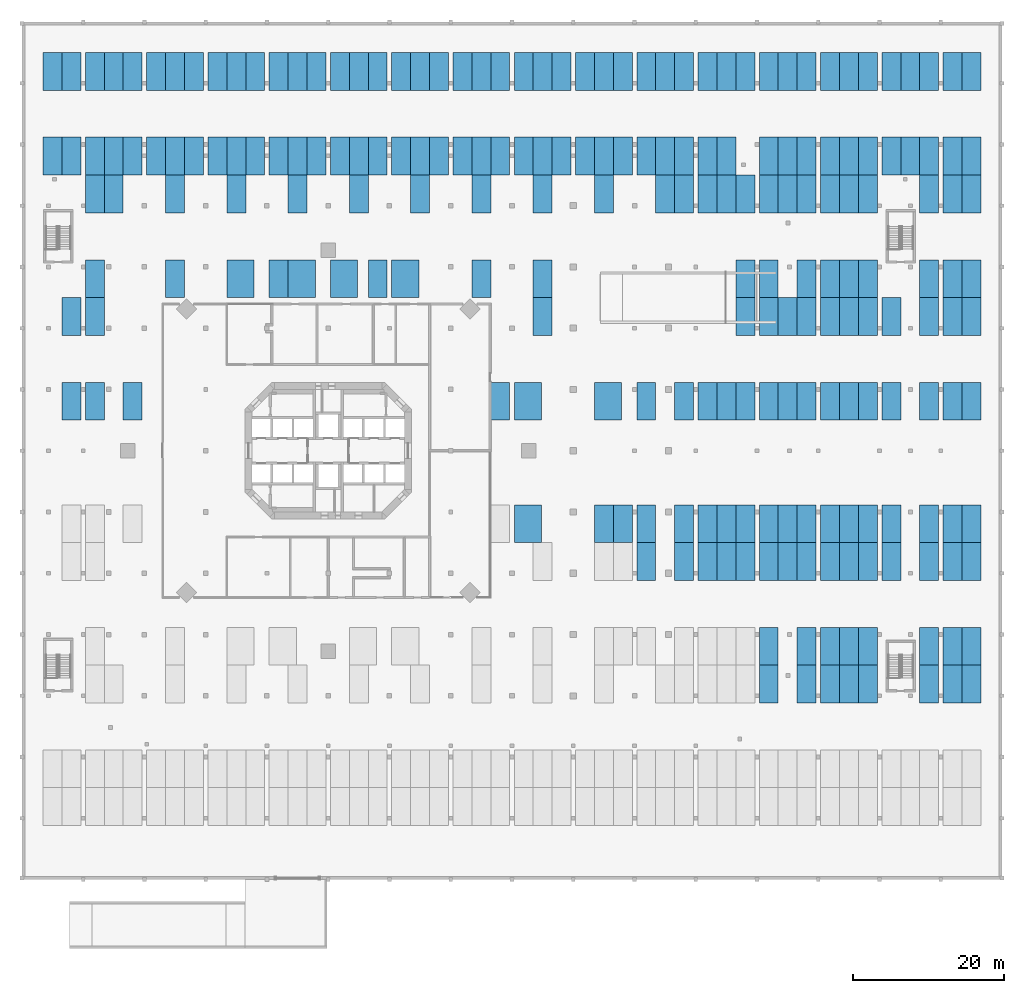
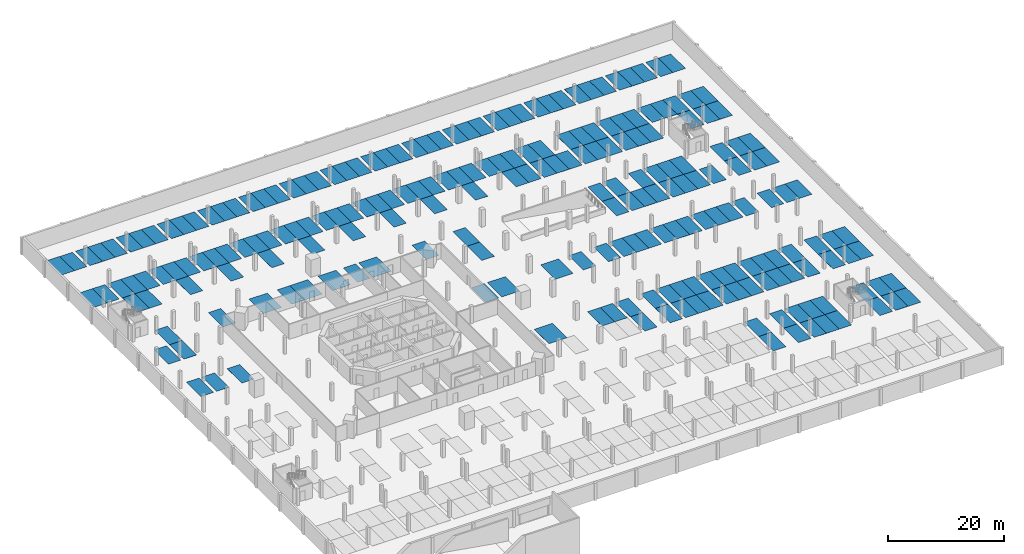
# One storey, part 13 of 14: 218 discrete accessories.
"""IFC4 building model written with IfcOpenShell, lengths in metres."""

from ifc_helpers import new_model, si_unit, direction, frame, origin, origin_2d, place, context, subcontext, project, spatial, rectangle, extrude, element, save


model = new_model("IFC4")

# Units and contexts
model_context = context("Model", 3, precision=1e-05, world=origin(), true_north=direction((0.0, 1.0)))
body_context = subcontext(model_context, "Body", "Model", "MODEL_VIEW")
ifc_project = project(units=[si_unit("LENGTHUNIT", "METRE"), si_unit("AREAUNIT", "SQUARE_METRE"), si_unit("VOLUMEUNIT", "CUBIC_METRE"), si_unit("PLANEANGLEUNIT", "RADIAN"), si_unit("MASSUNIT", "GRAM", prefix="KILO")], contexts=[model_context])

# Site, building, storey
site_placement = place(None, origin())
site = spatial("IfcSite", under=ifc_project, at=site_placement, CompositionType="ELEMENT")
building_placement = place(site_placement, origin())
building = spatial("IfcBuilding", under=site, at=building_placement, Name="Torre Triforio", CompositionType="ELEMENT")
storey_placement = place(building_placement, frame((0.0, 0.0, -3.60009765625)))
storey = spatial("IfcBuildingStorey", under=building, at=storey_placement, Name="B1", CompositionType="ELEMENT", Elevation=-3.60009765625)

# Discrete accessories
for number, where, z_axis, x_axis, name in (
    (1, (42.050048828125, -14.64990234375, 0.000244140625), (0.0, 0.0, 1.0), (1.0, 0.0, 0.0), "Parking bay marking B1-C-43"),
    (2, (47.050048828125, -14.64990234375, 0.000244140625), (0.0, 0.0, 1.0), (1.0, 0.0, 0.0), "Parking bay marking B1-C-44"),
    (3, (50.14990234375, -14.64990234375, 0.000244140625), (0.0, 0.0, 1.0), (1.0, 0.0, 0.0), "Parking bay marking B1-C-45"),
    (4, (52.64990234375, -14.64990234375, 0.000244140625), (0.0, 0.0, 1.0), (1.0, 0.0, 0.0), "Parking bay marking B1-C-46"),
    (5, (55.14990234375, -14.64990234375, 0.000244140625), (0.0, 0.0, 1.0), (1.0, 0.0, 0.0), "Parking bay marking B1-C-47"),
):
    element("IfcDiscreteAccessory", number, at=place(storey_placement, frame(where, z_axis=z_axis, x_axis=x_axis)), inside=storey, Name=name, PredefinedType="NOTDEFINED", context=body_context, shape_type="SweptSolid", body=[
        extrude(rectangle(XDim=2.5, YDim=5.0, at=origin_2d()), origin(), (0.0, 0.0, 1.0), 0.0048828125),
    ])
discrete_accessory_1_placement = place(storey_placement, frame((26.39990234375, -9.64990234375, 0.000244140625), z_axis=(0.0, 0.0, 1.0), x_axis=(1.0, 0.0, 0.0)))
element("IfcDiscreteAccessory", 6, at=discrete_accessory_1_placement, inside=storey, Name="Accessible parking bay marking B1-C-48", PredefinedType="NOTDEFINED", context=body_context, shape_type="SweptSolid", body=[
    extrude(rectangle(XDim=3.60009765625, YDim=5.0, at=origin_2d()), origin(), (0.0, 0.0, 1.0), 0.0048828125),
])
for number, where, z_axis, x_axis, name in (
    (7, (36.449951171875, -9.64990234375, 0.000244140625), (0.0, 0.0, 1.0), (1.0, 0.0, 0.0), "Parking bay marking B1-C-49"),
    (8, (38.949951171875, -9.64990234375, 0.000244140625), (0.0, 0.0, 1.0), (1.0, 0.0, 0.0), "Parking bay marking B1-C-50"),
    (9, (42.050048828125, -9.64990234375, 0.000244140625), (0.0, 0.0, 1.0), (1.0, 0.0, 0.0), "Parking bay marking B1-C-51"),
    (10, (47.050048828125, -9.64990234375, 0.000244140625), (0.0, 0.0, 1.0), (1.0, 0.0, 0.0), "Parking bay marking B1-C-52"),
    (11, (50.14990234375, -9.64990234375, 0.000244140625), (0.0, 0.0, 1.0), (1.0, 0.0, 0.0), "Parking bay marking B1-C-53"),
    (12, (52.64990234375, -9.64990234375, 0.000244140625), (0.0, 0.0, 1.0), (1.0, 0.0, 0.0), "Parking bay marking B1-C-54"),
    (13, (55.14990234375, -9.64990234375, 0.000244140625), (0.0, 0.0, 1.0), (1.0, 0.0, 0.0), "Parking bay marking B1-C-55"),
    (14, (58.25, -30.85009765625, 0.000244140625), (0.0, 0.0, 1.0), (1.0, 0.0, 0.0), "Parking bay marking B1-D-23"),
    (15, (63.25, -30.85009765625, 0.000244140625), (0.0, 0.0, 1.0), (1.0, 0.0, 0.0), "Parking bay marking B1-D-24"),
    (16, (66.35009765625, -30.85009765625, 0.000244140625), (0.0, 0.0, 1.0), (1.0, 0.0, 0.0), "Parking bay marking B1-D-25"),
    (17, (68.85009765625, -30.85009765625, 0.000244140625), (0.0, 0.0, 1.0), (1.0, 0.0, 0.0), "Parking bay marking B1-D-26"),
    (18, (71.35009765625, -30.85009765625, 0.000244140625), (0.0, 0.0, 1.0), (1.0, 0.0, 0.0), "Parking bay marking B1-D-27"),
    (19, (79.449951171875, -30.85009765625, 0.000244140625), (0.0, 0.0, 1.0), (1.0, 0.0, 0.0), "Parking bay marking B1-D-28"),
    (20, (82.550048828125, -30.85009765625, 0.000244140625), (0.0, 0.0, 1.0), (1.0, 0.0, 0.0), "Parking bay marking B1-D-29"),
    (21, (85.050048828125, -30.85009765625, 0.000244140625), (0.0, 0.0, 1.0), (1.0, 0.0, 0.0), "Parking bay marking B1-D-30"),
    (22, (58.25, -25.85009765625, 0.000244140625), (0.0, 0.0, 1.0), (1.0, 0.0, 0.0), "Parking bay marking B1-D-31"),
    (23, (63.25, -25.85009765625, 0.000244140625), (0.0, 0.0, 1.0), (1.0, 0.0, 0.0), "Parking bay marking B1-D-32"),
    (24, (66.35009765625, -25.85009765625, 0.000244140625), (0.0, 0.0, 1.0), (1.0, 0.0, 0.0), "Parking bay marking B1-D-33"),
    (25, (68.85009765625, -25.85009765625, 0.000244140625), (0.0, 0.0, 1.0), (1.0, 0.0, 0.0), "Parking bay marking B1-D-34"),
    (26, (71.35009765625, -25.85009765625, 0.000244140625), (0.0, 0.0, 1.0), (1.0, 0.0, 0.0), "Parking bay marking B1-D-35"),
    (27, (79.449951171875, -25.85009765625, 0.000244140625), (0.0, 0.0, 1.0), (1.0, 0.0, 0.0), "Parking bay marking B1-D-36"),
    (28, (82.550048828125, -25.85009765625, 0.000244140625), (0.0, 0.0, 1.0), (1.0, 0.0, 0.0), "Parking bay marking B1-D-37"),
    (29, (85.050048828125, -25.85009765625, 0.000244140625), (0.0, 0.0, 1.0), (1.0, 0.0, 0.0), "Parking bay marking B1-D-38"),
    (30, (58.25, -14.64990234375, 0.000244140625), (0.0, 0.0, 1.0), (1.0, 0.0, 0.0), "Parking bay marking B1-D-39"),
    (31, (60.75, -14.64990234375, 0.000244140625), (0.0, 0.0, 1.0), (1.0, 0.0, 0.0), "Parking bay marking B1-D-40"),
    (32, (63.25, -14.64990234375, 0.000244140625), (0.0, 0.0, 1.0), (1.0, 0.0, 0.0), "Parking bay marking B1-D-41"),
    (33, (66.35009765625, -14.64990234375, 0.000244140625), (0.0, 0.0, 1.0), (1.0, 0.0, 0.0), "Parking bay marking B1-D-42"),
    (34, (68.85009765625, -14.64990234375, 0.000244140625), (0.0, 0.0, 1.0), (1.0, 0.0, 0.0), "Parking bay marking B1-D-43"),
    (35, (71.35009765625, -14.64990234375, 0.000244140625), (0.0, 0.0, 1.0), (1.0, 0.0, 0.0), "Parking bay marking B1-D-44"),
    (36, (74.449951171875, -14.64990234375, 0.000244140625), (0.0, 0.0, 1.0), (1.0, 0.0, 0.0), "Parking bay marking B1-D-45"),
    (37, (79.449951171875, -14.64990234375, 0.000244140625), (0.0, 0.0, 1.0), (1.0, 0.0, 0.0), "Parking bay marking B1-D-46"),
    (38, (82.550048828125, -14.64990234375, 0.000244140625), (0.0, 0.0, 1.0), (1.0, 0.0, 0.0), "Parking bay marking B1-D-47"),
    (39, (85.050048828125, -14.64990234375, 0.000244140625), (0.0, 0.0, 1.0), (1.0, 0.0, 0.0), "Parking bay marking B1-D-48"),
    (40, (58.25, -9.64990234375, 0.000244140625), (0.0, 0.0, 1.0), (1.0, 0.0, 0.0), "Parking bay marking B1-D-49"),
    (41, (60.75, -9.64990234375, 0.000244140625), (0.0, 0.0, 1.0), (1.0, 0.0, 0.0), "Parking bay marking B1-D-50"),
    (42, (63.25, -9.64990234375, 0.000244140625), (0.0, 0.0, 1.0), (1.0, 0.0, 0.0), "Parking bay marking B1-D-51"),
    (43, (66.35009765625, -9.64990234375, 0.000244140625), (0.0, 0.0, 1.0), (1.0, 0.0, 0.0), "Parking bay marking B1-D-52"),
    (44, (68.85009765625, -9.64990234375, 0.000244140625), (0.0, 0.0, 1.0), (1.0, 0.0, 0.0), "Parking bay marking B1-D-53"),
    (45, (71.35009765625, -9.64990234375, 0.000244140625), (0.0, 0.0, 1.0), (1.0, 0.0, 0.0), "Parking bay marking B1-D-54"),
    (46, (74.449951171875, -9.64990234375, 0.000244140625), (0.0, 0.0, 1.0), (1.0, 0.0, 0.0), "Parking bay marking B1-D-55"),
    (47, (79.449951171875, -9.64990234375, 0.000244140625), (0.0, 0.0, 1.0), (1.0, 0.0, 0.0), "Parking bay marking B1-D-56"),
    (48, (82.550048828125, -9.64990234375, 0.000244140625), (0.0, 0.0, 1.0), (1.0, 0.0, 0.0), "Parking bay marking B1-D-57"),
    (49, (85.050048828125, -9.64990234375, 0.000244140625), (0.0, 0.0, 1.0), (1.0, 0.0, 0.0), "Parking bay marking B1-D-58"),
    (50, (-33.949951171875, 6.550048828125, 0.000244140625), (0.0, 0.0, 1.0), (1.0, 0.0, 0.0), "Parking bay marking B1-E-01"),
    (51, (-30.85009765625, 6.550048828125, 0.000244140625), (0.0, 0.0, 1.0), (1.0, 0.0, 0.0), "Parking bay marking B1-E-02"),
    (52, (-25.85009765625, 6.550048828125, 0.000244140625), (0.0, 0.0, 1.0), (1.0, 0.0, 0.0), "Parking bay marking B1-E-03"),
    (53, (-33.949951171875, 17.75, 0.000244140625), (0.0, 0.0, 1.0), (1.0, 0.0, 0.0), "Parking bay marking B1-E-04"),
    (54, (-30.85009765625, 17.75, 0.000244140625), (0.0, 0.0, 1.0), (1.0, 0.0, 0.0), "Parking bay marking B1-E-05"),
    (55, (-30.85009765625, 22.75, 0.000244140625), (0.0, 0.0, 1.0), (1.0, 0.0, 0.0), "Parking bay marking B1-E-06"),
    (56, (-20.25, 22.75, 0.000244140625), (0.0, 0.0, 1.0), (1.0, 0.0, 0.0), "Parking bay marking B1-E-07"),
):
    element("IfcDiscreteAccessory", number, at=place(storey_placement, frame(where, z_axis=z_axis, x_axis=x_axis)), inside=storey, Name=name, PredefinedType="NOTDEFINED", context=body_context, shape_type="SweptSolid", body=[
        extrude(rectangle(XDim=2.5, YDim=5.0, at=origin_2d()), origin(), (0.0, 0.0, 1.0), 0.0048828125),
    ])
discrete_accessory_2_placement = place(storey_placement, frame((-11.60009765625, 22.75, 0.000244140625), z_axis=(0.0, 0.0, 1.0), x_axis=(1.0, 0.0, 0.0)))
element("IfcDiscreteAccessory", 57, at=discrete_accessory_2_placement, inside=storey, Name="Accessible parking bay marking B1-E-08", PredefinedType="NOTDEFINED", context=body_context, shape_type="SweptSolid", body=[
    extrude(rectangle(XDim=3.60009765625, YDim=5.0, at=origin_2d()), origin(), (0.0, 0.0, 1.0), 0.0048828125),
])
for number, where, z_axis, x_axis, name in (
    (58, (-30.85009765625, 33.949951171875, 0.000244140625), (0.0, 0.0, 1.0), (1.0, 0.0, 0.0), "Parking bay marking B1-E-09"),
    (59, (-28.35009765625, 33.949951171875, 0.000244140625), (0.0, 0.0, 1.0), (1.0, 0.0, 0.0), "Parking bay marking B1-E-10"),
    (60, (-20.25, 33.949951171875, 0.000244140625), (0.0, 0.0, 1.0), (1.0, 0.0, 0.0), "Parking bay marking B1-E-11"),
    (61, (-12.14990234375, 33.949951171875, 0.000244140625), (0.0, 0.0, 1.0), (1.0, 0.0, 0.0), "Parking bay marking B1-E-12"),
    (62, (-36.449951171875, 38.949951171875, 0.000244140625), (0.0, 0.0, 1.0), (1.0, 0.0, 0.0), "Parking bay marking B1-E-13"),
    (63, (-33.949951171875, 38.949951171875, 0.000244140625), (0.0, 0.0, 1.0), (1.0, 0.0, 0.0), "Parking bay marking B1-E-14"),
    (64, (-30.85009765625, 38.949951171875, 0.000244140625), (0.0, 0.0, 1.0), (1.0, 0.0, 0.0), "Parking bay marking B1-E-15"),
    (65, (-28.35009765625, 38.949951171875, 0.000244140625), (0.0, 0.0, 1.0), (1.0, 0.0, 0.0), "Parking bay marking B1-E-16"),
    (66, (-25.85009765625, 38.949951171875, 0.000244140625), (0.0, 0.0, 1.0), (1.0, 0.0, 0.0), "Parking bay marking B1-E-17"),
    (67, (-22.75, 38.949951171875, 0.000244140625), (0.0, 0.0, 1.0), (1.0, 0.0, 0.0), "Parking bay marking B1-E-18"),
    (68, (-20.25, 38.949951171875, 0.000244140625), (0.0, 0.0, 1.0), (1.0, 0.0, 0.0), "Parking bay marking B1-E-19"),
    (69, (-17.75, 38.949951171875, 0.000244140625), (0.0, 0.0, 1.0), (1.0, 0.0, 0.0), "Parking bay marking B1-E-20"),
    (70, (-14.64990234375, 38.949951171875, 0.000244140625), (0.0, 0.0, 1.0), (1.0, 0.0, 0.0), "Parking bay marking B1-E-21"),
    (71, (-12.14990234375, 38.949951171875, 0.000244140625), (0.0, 0.0, 1.0), (1.0, 0.0, 0.0), "Parking bay marking B1-E-22"),
    (72, (-9.64990234375, 38.949951171875, 0.000244140625), (0.0, 0.0, 1.0), (1.0, 0.0, 0.0), "Parking bay marking B1-E-23"),
    (73, (-36.449951171875, 50.14990234375, 0.000244140625), (0.0, 0.0, 1.0), (1.0, 0.0, 0.0), "Parking bay marking B1-E-24"),
    (74, (-33.949951171875, 50.14990234375, 0.000244140625), (0.0, 0.0, 1.0), (1.0, 0.0, 0.0), "Parking bay marking B1-E-25"),
    (75, (-30.85009765625, 50.14990234375, 0.000244140625), (0.0, 0.0, 1.0), (1.0, 0.0, 0.0), "Parking bay marking B1-E-26"),
    (76, (-28.35009765625, 50.14990234375, 0.000244140625), (0.0, 0.0, 1.0), (1.0, 0.0, 0.0), "Parking bay marking B1-E-27"),
    (77, (-25.85009765625, 50.14990234375, 0.000244140625), (0.0, 0.0, 1.0), (1.0, 0.0, 0.0), "Parking bay marking B1-E-28"),
    (78, (-22.75, 50.14990234375, 0.000244140625), (0.0, 0.0, 1.0), (1.0, 0.0, 0.0), "Parking bay marking B1-E-29"),
    (79, (-20.25, 50.14990234375, 0.000244140625), (0.0, 0.0, 1.0), (1.0, 0.0, 0.0), "Parking bay marking B1-E-30"),
    (80, (-17.75, 50.14990234375, 0.000244140625), (0.0, 0.0, 1.0), (1.0, 0.0, 0.0), "Parking bay marking B1-E-31"),
    (81, (-14.64990234375, 50.14990234375, 0.000244140625), (0.0, 0.0, 1.0), (1.0, 0.0, 0.0), "Parking bay marking B1-E-32"),
    (82, (-12.14990234375, 50.14990234375, 0.000244140625), (0.0, 0.0, 1.0), (1.0, 0.0, 0.0), "Parking bay marking B1-E-33"),
    (83, (-9.64990234375, 50.14990234375, 0.000244140625), (0.0, 0.0, 1.0), (1.0, 0.0, 0.0), "Parking bay marking B1-E-34"),
    (84, (22.75, 6.550048828125, 0.000244140625), (0.0, 0.0, 1.0), (1.0, 0.0, 0.0), "Parking bay marking B1-F-01"),
    (85, (-6.550048828125, 22.75, 0.000244140625), (0.0, 0.0, 1.0), (1.0, 0.0, 0.0), "Parking bay marking B1-F-02"),
):
    element("IfcDiscreteAccessory", number, at=place(storey_placement, frame(where, z_axis=z_axis, x_axis=x_axis)), inside=storey, Name=name, PredefinedType="NOTDEFINED", context=body_context, shape_type="SweptSolid", body=[
        extrude(rectangle(XDim=2.5, YDim=5.0, at=origin_2d()), origin(), (0.0, 0.0, 1.0), 0.0048828125),
    ])
for number, where, z_axis, x_axis, name in (
    (86, (-3.5, 22.75, 0.000244140625), (0.0, 0.0, 1.0), (1.0, 0.0, 0.0), "Accessible parking bay marking B1-F-03"),
    (87, (2.10009765625, 22.75, 0.000244140625), (0.0, 0.0, 1.0), (1.0, 0.0, 0.0), "Accessible parking bay marking B1-F-04"),
):
    element("IfcDiscreteAccessory", number, at=place(storey_placement, frame(where, z_axis=z_axis, x_axis=x_axis)), inside=storey, Name=name, PredefinedType="NOTDEFINED", context=body_context, shape_type="SweptSolid", body=[
        extrude(rectangle(XDim=3.60009765625, YDim=5.0, at=origin_2d()), origin(), (0.0, 0.0, 1.0), 0.0048828125),
    ])
discrete_accessory_3_placement = place(storey_placement, frame((6.550048828125, 22.75, 0.000244140625), z_axis=(0.0, 0.0, 1.0), x_axis=(1.0, 0.0, 0.0)))
element("IfcDiscreteAccessory", 88, at=discrete_accessory_3_placement, inside=storey, Name="Parking bay marking B1-F-05", PredefinedType="NOTDEFINED", context=body_context, shape_type="SweptSolid", body=[
    extrude(rectangle(XDim=2.5, YDim=5.0, at=origin_2d()), origin(), (0.0, 0.0, 1.0), 0.0048828125),
])
discrete_accessory_4_placement = place(storey_placement, frame((10.199951171875, 22.75, 0.000244140625), z_axis=(0.0, 0.0, 1.0), x_axis=(1.0, 0.0, 0.0)))
element("IfcDiscreteAccessory", 89, at=discrete_accessory_4_placement, inside=storey, Name="Accessible parking bay marking B1-F-06", PredefinedType="NOTDEFINED", context=body_context, shape_type="SweptSolid", body=[
    extrude(rectangle(XDim=3.60009765625, YDim=5.0, at=origin_2d()), origin(), (0.0, 0.0, 1.0), 0.0048828125),
])
for number, where, z_axis, x_axis, name in (
    (90, (20.25, 22.75, 0.000244140625), (0.0, 0.0, 1.0), (1.0, 0.0, 0.0), "Parking bay marking B1-F-07"),
    (91, (-4.050048828125, 33.949951171875, 0.000244140625), (0.0, 0.0, 1.0), (1.0, 0.0, 0.0), "Parking bay marking B1-F-08"),
    (92, (4.050048828125, 33.949951171875, 0.000244140625), (0.0, 0.0, 1.0), (1.0, 0.0, 0.0), "Parking bay marking B1-F-09"),
    (93, (12.14990234375, 33.949951171875, 0.000244140625), (0.0, 0.0, 1.0), (1.0, 0.0, 0.0), "Parking bay marking B1-F-10"),
    (94, (20.25, 33.949951171875, 0.000244140625), (0.0, 0.0, 1.0), (1.0, 0.0, 0.0), "Parking bay marking B1-F-11"),
    (95, (-6.550048828125, 38.949951171875, 0.000244140625), (0.0, 0.0, 1.0), (1.0, 0.0, 0.0), "Parking bay marking B1-F-12"),
    (96, (-4.050048828125, 38.949951171875, 0.000244140625), (0.0, 0.0, 1.0), (1.0, 0.0, 0.0), "Parking bay marking B1-F-13"),
    (97, (-1.550048828125, 38.949951171875, 0.000244140625), (0.0, 0.0, 1.0), (1.0, 0.0, 0.0), "Parking bay marking B1-F-14"),
    (98, (1.550048828125, 38.949951171875, 0.000244140625), (0.0, 0.0, 1.0), (1.0, 0.0, 0.0), "Parking bay marking B1-F-15"),
    (99, (4.050048828125, 38.949951171875, 0.000244140625), (0.0, 0.0, 1.0), (1.0, 0.0, 0.0), "Parking bay marking B1-F-16"),
    (100, (6.550048828125, 38.949951171875, 0.000244140625), (0.0, 0.0, 1.0), (1.0, 0.0, 0.0), "Parking bay marking B1-F-17"),
    (101, (9.64990234375, 38.949951171875, 0.000244140625), (0.0, 0.0, 1.0), (1.0, 0.0, 0.0), "Parking bay marking B1-F-18"),
    (102, (12.14990234375, 38.949951171875, 0.000244140625), (0.0, 0.0, 1.0), (1.0, 0.0, 0.0), "Parking bay marking B1-F-19"),
    (103, (14.64990234375, 38.949951171875, 0.000244140625), (0.0, 0.0, 1.0), (1.0, 0.0, 0.0), "Parking bay marking B1-F-20"),
    (104, (17.75, 38.949951171875, 0.000244140625), (0.0, 0.0, 1.0), (1.0, 0.0, 0.0), "Parking bay marking B1-F-21"),
    (105, (20.25, 38.949951171875, 0.000244140625), (0.0, 0.0, 1.0), (1.0, 0.0, 0.0), "Parking bay marking B1-F-22"),
    (106, (22.75, 38.949951171875, 0.000244140625), (0.0, 0.0, 1.0), (1.0, 0.0, 0.0), "Parking bay marking B1-F-23"),
    (107, (-6.550048828125, 50.14990234375, 0.000244140625), (0.0, 0.0, 1.0), (1.0, 0.0, 0.0), "Parking bay marking B1-F-24"),
    (108, (-4.050048828125, 50.14990234375, 0.000244140625), (0.0, 0.0, 1.0), (1.0, 0.0, 0.0), "Parking bay marking B1-F-25"),
    (109, (-1.550048828125, 50.14990234375, 0.000244140625), (0.0, 0.0, 1.0), (1.0, 0.0, 0.0), "Parking bay marking B1-F-26"),
    (110, (1.550048828125, 50.14990234375, 0.000244140625), (0.0, 0.0, 1.0), (1.0, 0.0, 0.0), "Parking bay marking B1-F-27"),
    (111, (4.050048828125, 50.14990234375, 0.000244140625), (0.0, 0.0, 1.0), (1.0, 0.0, 0.0), "Parking bay marking B1-F-28"),
    (112, (6.550048828125, 50.14990234375, 0.000244140625), (0.0, 0.0, 1.0), (1.0, 0.0, 0.0), "Parking bay marking B1-F-29"),
    (113, (9.64990234375, 50.14990234375, 0.000244140625), (0.0, 0.0, 1.0), (1.0, 0.0, 0.0), "Parking bay marking B1-F-30"),
    (114, (12.14990234375, 50.14990234375, 0.000244140625), (0.0, 0.0, 1.0), (1.0, 0.0, 0.0), "Parking bay marking B1-F-31"),
    (115, (14.64990234375, 50.14990234375, 0.000244140625), (0.0, 0.0, 1.0), (1.0, 0.0, 0.0), "Parking bay marking B1-F-32"),
    (116, (17.75, 50.14990234375, 0.000244140625), (0.0, 0.0, 1.0), (1.0, 0.0, 0.0), "Parking bay marking B1-F-33"),
    (117, (20.25, 50.14990234375, 0.000244140625), (0.0, 0.0, 1.0), (1.0, 0.0, 0.0), "Parking bay marking B1-F-34"),
    (118, (22.75, 50.14990234375, 0.000244140625), (0.0, 0.0, 1.0), (1.0, 0.0, 0.0), "Parking bay marking B1-F-35"),
):
    element("IfcDiscreteAccessory", number, at=place(storey_placement, frame(where, z_axis=z_axis, x_axis=x_axis)), inside=storey, Name=name, PredefinedType="NOTDEFINED", context=body_context, shape_type="SweptSolid", body=[
        extrude(rectangle(XDim=2.5, YDim=5.0, at=origin_2d()), origin(), (0.0, 0.0, 1.0), 0.0048828125),
    ])
for number, where, z_axis, x_axis, name in (
    (119, (26.39990234375, 6.550048828125, 0.000244140625), (0.0, 0.0, 1.0), (1.0, 0.0, 0.0), "Accessible parking bay marking B1-G-01"),
    (120, (37.0, 6.550048828125, 0.000244140625), (0.0, 0.0, 1.0), (1.0, 0.0, 0.0), "Accessible parking bay marking B1-G-02"),
):
    element("IfcDiscreteAccessory", number, at=place(storey_placement, frame(where, z_axis=z_axis, x_axis=x_axis)), inside=storey, Name=name, PredefinedType="NOTDEFINED", context=body_context, shape_type="SweptSolid", body=[
        extrude(rectangle(XDim=3.60009765625, YDim=5.0, at=origin_2d()), origin(), (0.0, 0.0, 1.0), 0.0048828125),
    ])
for number, where, z_axis, x_axis, name in (
    (121, (42.050048828125, 6.550048828125, 0.000244140625), (0.0, 0.0, 1.0), (1.0, 0.0, 0.0), "Parking bay marking B1-G-03"),
    (122, (47.050048828125, 6.550048828125, 0.000244140625), (0.0, 0.0, 1.0), (1.0, 0.0, 0.0), "Parking bay marking B1-G-04"),
    (123, (50.14990234375, 6.550048828125, 0.000244140625), (0.0, 0.0, 1.0), (1.0, 0.0, 0.0), "Parking bay marking B1-G-05"),
    (124, (52.64990234375, 6.550048828125, 0.000244140625), (0.0, 0.0, 1.0), (1.0, 0.0, 0.0), "Parking bay marking B1-G-06"),
    (125, (55.14990234375, 6.550048828125, 0.000244140625), (0.0, 0.0, 1.0), (1.0, 0.0, 0.0), "Parking bay marking B1-G-07"),
    (126, (28.35009765625, 17.75, 0.000244140625), (0.0, 0.0, 1.0), (1.0, 0.0, 0.0), "Parking bay marking B1-G-08"),
    (127, (55.14990234375, 17.75, 0.000244140625), (0.0, 0.0, 1.0), (1.0, 0.0, 0.0), "Parking bay marking B1-G-09"),
    (128, (28.35009765625, 22.75, 0.000244140625), (0.0, 0.0, 1.0), (1.0, 0.0, 0.0), "Parking bay marking B1-G-10"),
    (129, (55.14990234375, 22.75, 0.000244140625), (0.0, 0.0, 1.0), (1.0, 0.0, 0.0), "Parking bay marking B1-G-11"),
    (130, (28.35009765625, 33.949951171875, 0.000244140625), (0.0, 0.0, 1.0), (1.0, 0.0, 0.0), "Parking bay marking B1-G-12"),
    (131, (36.449951171875, 33.949951171875, 0.000244140625), (0.0, 0.0, 1.0), (1.0, 0.0, 0.0), "Parking bay marking B1-G-13"),
    (132, (44.550048828125, 33.949951171875, 0.000244140625), (0.0, 0.0, 1.0), (1.0, 0.0, 0.0), "Parking bay marking B1-G-14"),
    (133, (47.050048828125, 33.949951171875, 0.000244140625), (0.0, 0.0, 1.0), (1.0, 0.0, 0.0), "Parking bay marking B1-G-15"),
    (134, (50.14990234375, 33.949951171875, 0.000244140625), (0.0, 0.0, 1.0), (1.0, 0.0, 0.0), "Parking bay marking B1-G-16"),
    (135, (52.64990234375, 33.949951171875, 0.000244140625), (0.0, 0.0, 1.0), (1.0, 0.0, 0.0), "Parking bay marking B1-G-17"),
    (136, (55.14990234375, 33.949951171875, 0.000244140625), (0.0, 0.0, 1.0), (1.0, 0.0, 0.0), "Parking bay marking B1-G-18"),
    (137, (25.85009765625, 38.949951171875, 0.000244140625), (0.0, 0.0, 1.0), (1.0, 0.0, 0.0), "Parking bay marking B1-G-19"),
    (138, (28.35009765625, 38.949951171875, 0.000244140625), (0.0, 0.0, 1.0), (1.0, 0.0, 0.0), "Parking bay marking B1-G-20"),
    (139, (30.85009765625, 38.949951171875, 0.000244140625), (0.0, 0.0, 1.0), (1.0, 0.0, 0.0), "Parking bay marking B1-G-21"),
    (140, (33.949951171875, 38.949951171875, 0.000244140625), (0.0, 0.0, 1.0), (1.0, 0.0, 0.0), "Parking bay marking B1-G-22"),
    (141, (36.449951171875, 38.949951171875, 0.000244140625), (0.0, 0.0, 1.0), (1.0, 0.0, 0.0), "Parking bay marking B1-G-23"),
    (142, (38.949951171875, 38.949951171875, 0.000244140625), (0.0, 0.0, 1.0), (1.0, 0.0, 0.0), "Parking bay marking B1-G-24"),
    (143, (42.050048828125, 38.949951171875, 0.000244140625), (0.0, 0.0, 1.0), (1.0, 0.0, 0.0), "Parking bay marking B1-G-25"),
    (144, (44.550048828125, 38.949951171875, 0.000244140625), (0.0, 0.0, 1.0), (1.0, 0.0, 0.0), "Parking bay marking B1-G-26"),
    (145, (47.050048828125, 38.949951171875, 0.000244140625), (0.0, 0.0, 1.0), (1.0, 0.0, 0.0), "Parking bay marking B1-G-27"),
    (146, (50.14990234375, 38.949951171875, 0.000244140625), (0.0, 0.0, 1.0), (1.0, 0.0, 0.0), "Parking bay marking B1-G-28"),
    (147, (52.64990234375, 38.949951171875, 0.000244140625), (0.0, 0.0, 1.0), (1.0, 0.0, 0.0), "Parking bay marking B1-G-29"),
    (148, (25.85009765625, 50.14990234375, 0.000244140625), (0.0, 0.0, 1.0), (1.0, 0.0, 0.0), "Parking bay marking B1-G-30"),
    (149, (28.35009765625, 50.14990234375, 0.000244140625), (0.0, 0.0, 1.0), (1.0, 0.0, 0.0), "Parking bay marking B1-G-31"),
    (150, (30.85009765625, 50.14990234375, 0.000244140625), (0.0, 0.0, 1.0), (1.0, 0.0, 0.0), "Parking bay marking B1-G-32"),
    (151, (33.949951171875, 50.14990234375, 0.000244140625), (0.0, 0.0, 1.0), (1.0, 0.0, 0.0), "Parking bay marking B1-G-33"),
    (152, (36.449951171875, 50.14990234375, 0.000244140625), (0.0, 0.0, 1.0), (1.0, 0.0, 0.0), "Parking bay marking B1-G-34"),
    (153, (38.949951171875, 50.14990234375, 0.000244140625), (0.0, 0.0, 1.0), (1.0, 0.0, 0.0), "Parking bay marking B1-G-35"),
    (154, (42.050048828125, 50.14990234375, 0.000244140625), (0.0, 0.0, 1.0), (1.0, 0.0, 0.0), "Parking bay marking B1-G-36"),
    (155, (44.550048828125, 50.14990234375, 0.000244140625), (0.0, 0.0, 1.0), (1.0, 0.0, 0.0), "Parking bay marking B1-G-37"),
    (156, (47.050048828125, 50.14990234375, 0.000244140625), (0.0, 0.0, 1.0), (1.0, 0.0, 0.0), "Parking bay marking B1-G-38"),
    (157, (50.14990234375, 50.14990234375, 0.000244140625), (0.0, 0.0, 1.0), (1.0, 0.0, 0.0), "Parking bay marking B1-G-39"),
    (158, (52.64990234375, 50.14990234375, 0.000244140625), (0.0, 0.0, 1.0), (1.0, 0.0, 0.0), "Parking bay marking B1-G-40"),
    (159, (55.14990234375, 50.14990234375, 0.000244140625), (0.0, 0.0, 1.0), (1.0, 0.0, 0.0), "Parking bay marking B1-G-41"),
    (160, (58.25, 6.550048828125, 0.000244140625), (0.0, 0.0, 1.0), (1.0, 0.0, 0.0), "Parking bay marking B1-H-01"),
    (161, (60.75, 6.550048828125, 0.000244140625), (0.0, 0.0, 1.0), (1.0, 0.0, 0.0), "Parking bay marking B1-H-02"),
    (162, (63.25, 6.550048828125, 0.000244140625), (0.0, 0.0, 1.0), (1.0, 0.0, 0.0), "Parking bay marking B1-H-03"),
    (163, (66.35009765625, 6.550048828125, 0.000244140625), (0.0, 0.0, 1.0), (1.0, 0.0, 0.0), "Parking bay marking B1-H-04"),
    (164, (68.85009765625, 6.550048828125, 0.000244140625), (0.0, 0.0, 1.0), (1.0, 0.0, 0.0), "Parking bay marking B1-H-05"),
    (165, (71.35009765625, 6.550048828125, 0.000244140625), (0.0, 0.0, 1.0), (1.0, 0.0, 0.0), "Parking bay marking B1-H-06"),
    (166, (74.449951171875, 6.550048828125, 0.000244140625), (0.0, 0.0, 1.0), (1.0, 0.0, 0.0), "Parking bay marking B1-H-07"),
    (167, (79.449951171875, 6.550048828125, 0.000244140625), (0.0, 0.0, 1.0), (1.0, 0.0, 0.0), "Parking bay marking B1-H-08"),
    (168, (82.550048828125, 6.550048828125, 0.000244140625), (0.0, 0.0, 1.0), (1.0, 0.0, 0.0), "Parking bay marking B1-H-09"),
    (169, (85.050048828125, 6.550048828125, 0.000244140625), (0.0, 0.0, 1.0), (1.0, 0.0, 0.0), "Parking bay marking B1-H-10"),
    (170, (58.25, 17.75, 0.000244140625), (0.0, 0.0, 1.0), (1.0, 0.0, 0.0), "Parking bay marking B1-H-11"),
    (171, (60.75, 17.75, 0.000244140625), (0.0, 0.0, 1.0), (1.0, 0.0, 0.0), "Parking bay marking B1-H-12"),
    (172, (63.25, 17.75, 0.000244140625), (0.0, 0.0, 1.0), (1.0, 0.0, 0.0), "Parking bay marking B1-H-13"),
    (173, (66.35009765625, 17.75, 0.000244140625), (0.0, 0.0, 1.0), (1.0, 0.0, 0.0), "Parking bay marking B1-H-14"),
    (174, (68.85009765625, 17.75, 0.000244140625), (0.0, 0.0, 1.0), (1.0, 0.0, 0.0), "Parking bay marking B1-H-15"),
    (175, (71.35009765625, 17.75, 0.000244140625), (0.0, 0.0, 1.0), (1.0, 0.0, 0.0), "Parking bay marking B1-H-16"),
    (176, (74.449951171875, 17.75, 0.000244140625), (0.0, 0.0, 1.0), (1.0, 0.0, 0.0), "Parking bay marking B1-H-17"),
    (177, (79.449951171875, 17.75, 0.000244140625), (0.0, 0.0, 1.0), (1.0, 0.0, 0.0), "Parking bay marking B1-H-18"),
    (178, (82.550048828125, 17.75, 0.000244140625), (0.0, 0.0, 1.0), (1.0, 0.0, 0.0), "Parking bay marking B1-H-19"),
    (179, (85.050048828125, 17.75, 0.000244140625), (0.0, 0.0, 1.0), (1.0, 0.0, 0.0), "Parking bay marking B1-H-20"),
    (180, (58.25, 22.75, 0.000244140625), (0.0, 0.0, 1.0), (1.0, 0.0, 0.0), "Parking bay marking B1-H-21"),
    (181, (63.25, 22.75, 0.000244140625), (0.0, 0.0, 1.0), (1.0, 0.0, 0.0), "Parking bay marking B1-H-22"),
    (182, (66.35009765625, 22.75, 0.000244140625), (0.0, 0.0, 1.0), (1.0, 0.0, 0.0), "Parking bay marking B1-H-23"),
    (183, (68.85009765625, 22.75, 0.000244140625), (0.0, 0.0, 1.0), (1.0, 0.0, 0.0), "Parking bay marking B1-H-24"),
    (184, (71.35009765625, 22.75, 0.000244140625), (0.0, 0.0, 1.0), (1.0, 0.0, 0.0), "Parking bay marking B1-H-25"),
    (185, (79.449951171875, 22.75, 0.000244140625), (0.0, 0.0, 1.0), (1.0, 0.0, 0.0), "Parking bay marking B1-H-26"),
    (186, (82.550048828125, 22.75, 0.000244140625), (0.0, 0.0, 1.0), (1.0, 0.0, 0.0), "Parking bay marking B1-H-27"),
    (187, (85.050048828125, 22.75, 0.000244140625), (0.0, 0.0, 1.0), (1.0, 0.0, 0.0), "Parking bay marking B1-H-28"),
    (188, (58.25, 33.949951171875, 0.000244140625), (0.0, 0.0, 1.0), (1.0, 0.0, 0.0), "Parking bay marking B1-H-29"),
    (189, (60.75, 33.949951171875, 0.000244140625), (0.0, 0.0, 1.0), (1.0, 0.0, 0.0), "Parking bay marking B1-H-30"),
    (190, (63.25, 33.949951171875, 0.000244140625), (0.0, 0.0, 1.0), (1.0, 0.0, 0.0), "Parking bay marking B1-H-31"),
    (191, (66.35009765625, 33.949951171875, 0.000244140625), (0.0, 0.0, 1.0), (1.0, 0.0, 0.0), "Parking bay marking B1-H-32"),
    (192, (68.85009765625, 33.949951171875, 0.000244140625), (0.0, 0.0, 1.0), (1.0, 0.0, 0.0), "Parking bay marking B1-H-33"),
    (193, (71.35009765625, 33.949951171875, 0.000244140625), (0.0, 0.0, 1.0), (1.0, 0.0, 0.0), "Parking bay marking B1-H-34"),
    (194, (79.449951171875, 33.949951171875, 0.000244140625), (0.0, 0.0, 1.0), (1.0, 0.0, 0.0), "Parking bay marking B1-H-35"),
    (195, (82.550048828125, 33.949951171875, 0.000244140625), (0.0, 0.0, 1.0), (1.0, 0.0, 0.0), "Parking bay marking B1-H-36"),
    (196, (85.050048828125, 33.949951171875, 0.000244140625), (0.0, 0.0, 1.0), (1.0, 0.0, 0.0), "Parking bay marking B1-H-37"),
    (197, (58.25, 38.949951171875, 0.000244140625), (0.0, 0.0, 1.0), (1.0, 0.0, 0.0), "Parking bay marking B1-H-38"),
    (198, (60.75, 38.949951171875, 0.000244140625), (0.0, 0.0, 1.0), (1.0, 0.0, 0.0), "Parking bay marking B1-H-39"),
    (199, (63.25, 38.949951171875, 0.000244140625), (0.0, 0.0, 1.0), (1.0, 0.0, 0.0), "Parking bay marking B1-H-40"),
    (200, (66.35009765625, 38.949951171875, 0.000244140625), (0.0, 0.0, 1.0), (1.0, 0.0, 0.0), "Parking bay marking B1-H-41"),
    (201, (68.85009765625, 38.949951171875, 0.000244140625), (0.0, 0.0, 1.0), (1.0, 0.0, 0.0), "Parking bay marking B1-H-42"),
    (202, (71.35009765625, 38.949951171875, 0.000244140625), (0.0, 0.0, 1.0), (1.0, 0.0, 0.0), "Parking bay marking B1-H-43"),
    (203, (74.449951171875, 38.949951171875, 0.000244140625), (0.0, 0.0, 1.0), (1.0, 0.0, 0.0), "Parking bay marking B1-H-44"),
    (204, (76.949951171875, 38.949951171875, 0.000244140625), (0.0, 0.0, 1.0), (1.0, 0.0, 0.0), "Parking bay marking B1-H-45"),
    (205, (79.449951171875, 38.949951171875, 0.000244140625), (0.0, 0.0, 1.0), (1.0, 0.0, 0.0), "Parking bay marking B1-H-46"),
    (206, (82.550048828125, 38.949951171875, 0.000244140625), (0.0, 0.0, 1.0), (1.0, 0.0, 0.0), "Parking bay marking B1-H-47"),
    (207, (85.050048828125, 38.949951171875, 0.000244140625), (0.0, 0.0, 1.0), (1.0, 0.0, 0.0), "Parking bay marking B1-H-48"),
    (208, (58.25, 50.14990234375, 0.000244140625), (0.0, 0.0, 1.0), (1.0, 0.0, 0.0), "Parking bay marking B1-H-49"),
    (209, (60.75, 50.14990234375, 0.000244140625), (0.0, 0.0, 1.0), (1.0, 0.0, 0.0), "Parking bay marking B1-H-50"),
    (210, (63.25, 50.14990234375, 0.000244140625), (0.0, 0.0, 1.0), (1.0, 0.0, 0.0), "Parking bay marking B1-H-51"),
    (211, (66.35009765625, 50.14990234375, 0.000244140625), (0.0, 0.0, 1.0), (1.0, 0.0, 0.0), "Parking bay marking B1-H-52"),
    (212, (68.85009765625, 50.14990234375, 0.000244140625), (0.0, 0.0, 1.0), (1.0, 0.0, 0.0), "Parking bay marking B1-H-53"),
    (213, (71.35009765625, 50.14990234375, 0.000244140625), (0.0, 0.0, 1.0), (1.0, 0.0, 0.0), "Parking bay marking B1-H-54"),
    (214, (74.449951171875, 50.14990234375, 0.000244140625), (0.0, 0.0, 1.0), (1.0, 0.0, 0.0), "Parking bay marking B1-H-55"),
    (215, (76.949951171875, 50.14990234375, 0.000244140625), (0.0, 0.0, 1.0), (1.0, 0.0, 0.0), "Parking bay marking B1-H-56"),
    (216, (79.449951171875, 50.14990234375, 0.000244140625), (0.0, 0.0, 1.0), (1.0, 0.0, 0.0), "Parking bay marking B1-H-57"),
    (217, (82.550048828125, 50.14990234375, 0.000244140625), (0.0, 0.0, 1.0), (1.0, 0.0, 0.0), "Parking bay marking B1-H-58"),
    (218, (85.050048828125, 50.14990234375, 0.000244140625), (0.0, 0.0, 1.0), (1.0, 0.0, 0.0), "Parking bay marking B1-H-59"),
):
    element("IfcDiscreteAccessory", number, at=place(storey_placement, frame(where, z_axis=z_axis, x_axis=x_axis)), inside=storey, Name=name, PredefinedType="NOTDEFINED", context=body_context, shape_type="SweptSolid", body=[
        extrude(rectangle(XDim=2.5, YDim=5.0, at=origin_2d()), origin(), (0.0, 0.0, 1.0), 0.0048828125),
    ])

save(model, "model.ifc")
